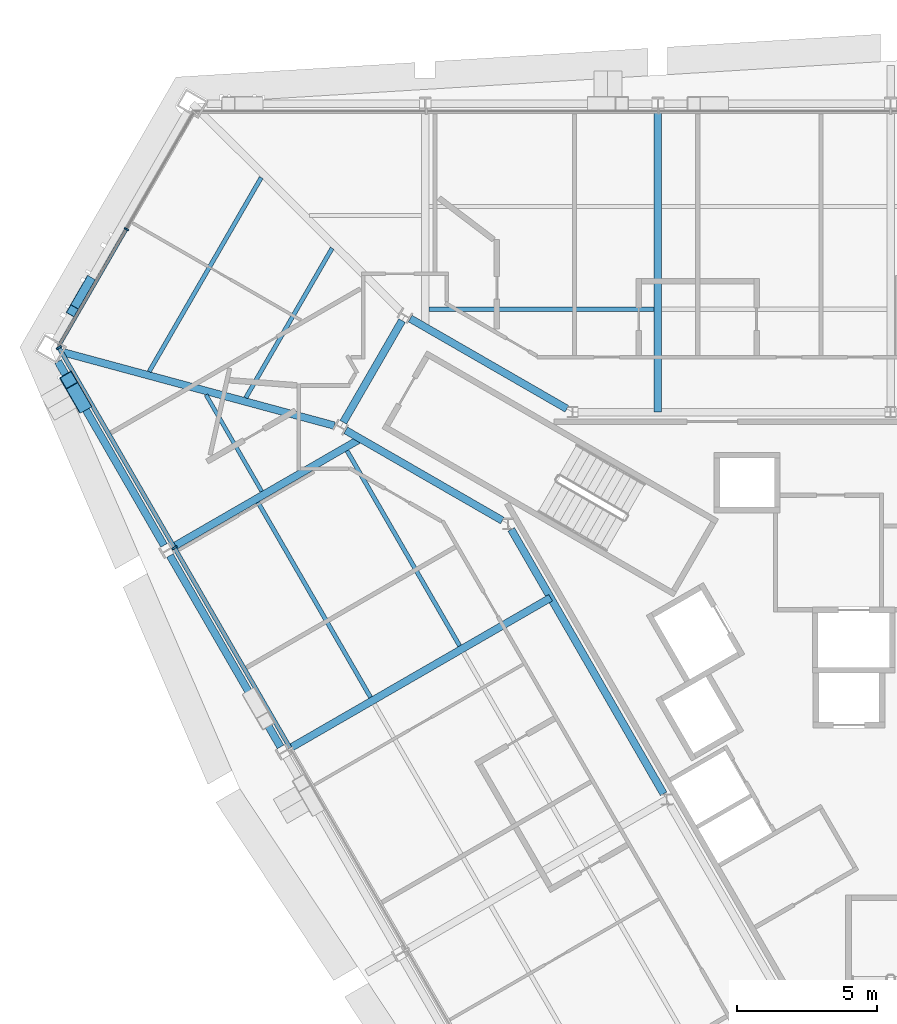
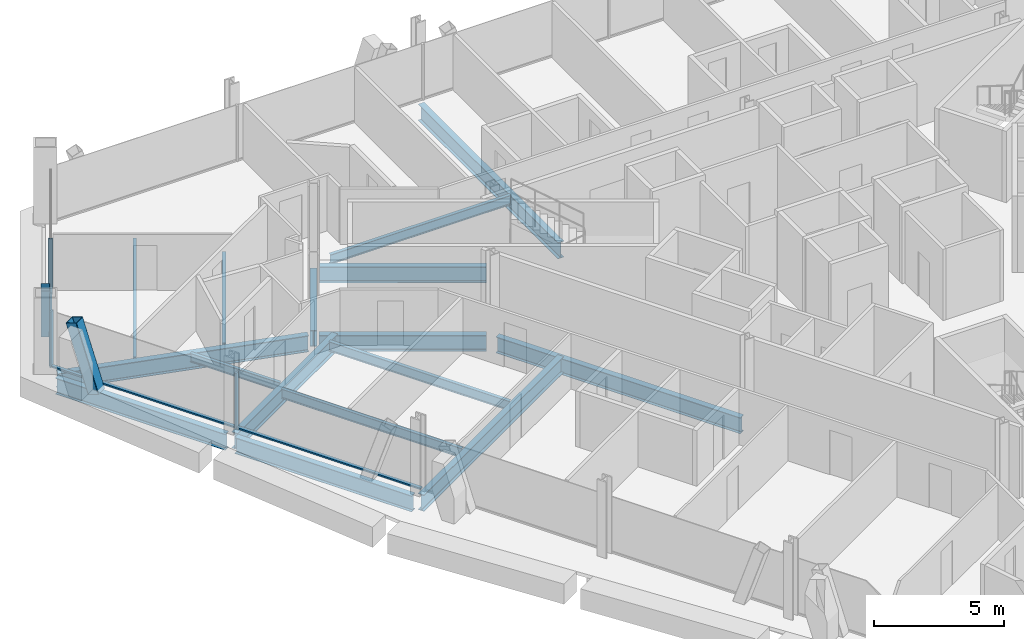
# One storey, part 6 of 17: 16 beams, 8 members, 2 elements without a shape of their own.
"""IFC4 building model written with IfcOpenShell, lengths in metres."""

from ifc_helpers import new_model, si_unit, direction, frame, origin, origin_2d, place, context, subcontext, project, spatial, rectangle, hollow_rectangle, i_section, extrude, material, material_profile, profile_set, type_object, element, aggregate, save


model = new_model("IFC4")

# Units and contexts
model_context = context("Model", 3, precision=1e-05, world=origin(), true_north=direction((0.0, 1.0)))
body_context = subcontext(model_context, "Body", "Model", "MODEL_VIEW")
ifc_project = project(units=[si_unit("LENGTHUNIT", "METRE"), si_unit("AREAUNIT", "SQUARE_METRE"), si_unit("VOLUMEUNIT", "CUBIC_METRE"), si_unit("PLANEANGLEUNIT", "RADIAN"), si_unit("MASSUNIT", "GRAM", prefix="KILO")], contexts=[model_context])

# Site, building, storey
site_placement = place(None, origin())
site = spatial("IfcSite", under=ifc_project, at=site_placement, CompositionType="ELEMENT")
building_placement = place(site_placement, origin())
building = spatial("IfcBuilding", under=site, at=building_placement, Name="Verrane Prism Tower", CompositionType="ELEMENT")
storey_placement = place(building_placement, frame((0.0, 0.0, 136.0)))
storey = spatial("IfcBuildingStorey", under=building, at=storey_placement, Name="L33", CompositionType="ELEMENT", Elevation=136.0)

# Member
ifc_material_1 = material(Name="Steel A500 Grade C", Category="steel")
ifc_material_profile_1 = material_profile(ifc_material_1, hollow_rectangle(XDim=0.355712890625, YDim=0.355712890625, WallThickness=0.0126953125, InnerFilletRadius=0.00634765625, OuterFilletRadius=0.01904296875, at=origin_2d()), Name="HSS14x14x1/2")
ifc_profile_set_1 = profile_set([ifc_material_profile_1], Name="Steel A500 Grade C")
member_type_1 = type_object("IfcMemberType", Name="Chamfer brace HSS14x14x1/2", PredefinedType="BRACE", material=ifc_profile_set_1)
member_1_placement = place(storey_placement, frame((-28.539794921875, 13.843505859375, -0.2451171875), z_axis=(-0.185659078212, -0.321960011241, 0.928370862231), x_axis=(0.86628698939, -0.499546646484, 0.0)))
element("IfcMember", 1, at=member_1_placement, inside=storey, type_object=member_type_1, Name="Chamfer brace NW0 L33", PredefinedType="BRACE", context=body_context, shape_type="SweptSolid", body=[
    extrude(hollow_rectangle(XDim=0.355712890625, YDim=0.355712890625, WallThickness=0.0126953125, InnerFilletRadius=0.00634765625, OuterFilletRadius=0.01904296875, at=origin_2d()), origin(), (0.0, 0.0, 1.0), 3.23486328125),
])

# Beams
ifc_material_2 = material(Name="Steel A992", Category="steel")
ifc_material_profile_2 = material_profile(ifc_material_2, i_section(OverallWidth=0.2666015625, OverallDepth=0.7568359375, WebThickness=0.013916015625, FlangeThickness=0.019287109375, FilletRadius=0.0166015625, at=origin_2d()), Name="W30x108")
ifc_profile_set_2 = profile_set([ifc_material_profile_2], Name="Steel A992")
beam_type_1 = type_object("IfcBeamType", Name="Core ring girder W30x108", PredefinedType="BEAM", material=ifc_profile_set_2)
beam_1_placement = place(storey_placement, frame((-11.53076171875, 9.315673828125, -0.62841796875), z_axis=(-0.866455532004, 0.499254254924, 0.0), x_axis=(-0.499254254924, -0.866455532004, 0.0)))
element("IfcBeam", 2, at=beam_1_placement, inside=storey, type_object=beam_type_1, Name="Core ring girder L33", PredefinedType="BEAM", context=body_context, shape_type="SweptSolid", body=[
    extrude(i_section(OverallWidth=0.2666015625, OverallDepth=0.7568359375, WebThickness=0.013916015625, FlangeThickness=0.019287109375, FilletRadius=0.0166015625, at=origin_2d()), origin(), (0.0, 0.0, 1.0), 6.441162109375),
])
beam_2_placement = place(storey_placement, frame((-17.40283203125, 12.4619140625, -0.62841796875), z_axis=(-0.500367003619, -0.865813410435, 0.0), x_axis=(0.865813410435, -0.500367003619, 0.0)))
element("IfcBeam", 3, at=beam_2_placement, inside=storey, type_object=beam_type_1, Name="Core ring girder L33", PredefinedType="BEAM", context=body_context, shape_type="SweptSolid", body=[
    extrude(i_section(OverallWidth=0.2666015625, OverallDepth=0.7568359375, WebThickness=0.013916015625, FlangeThickness=0.019287109375, FilletRadius=0.0166015625, at=origin_2d()), origin(), (0.0, 0.0, 1.0), 4.185302734375),
])
beam_3_placement = place(storey_placement, frame((-19.411865234375, 8.551513671875, -0.62841796875), z_axis=(0.866455532004, -0.499254254924, 0.0), x_axis=(0.499254254924, 0.866455532004, 0.0)))
element("IfcBeam", 4, at=beam_3_placement, inside=storey, type_object=beam_type_1, Name="Core ring girder L33", PredefinedType="BEAM", context=body_context, shape_type="SweptSolid", body=[
    extrude(i_section(OverallWidth=0.2666015625, OverallDepth=0.7568359375, WebThickness=0.013916015625, FlangeThickness=0.019287109375, FilletRadius=0.0166015625, at=origin_2d()), origin(), (0.0, 0.0, 1.0), 6.441162109375),
])
beam_4_placement = place(storey_placement, frame((-13.51513671875, 5.0205078125, -0.62841796875), z_axis=(0.4993706109, -0.866388476937, 0.0), x_axis=(0.866388476937, 0.4993706109, 0.0)))
element("IfcBeam", 5, at=beam_4_placement, inside=storey, type_object=beam_type_1, Name="Core ring girder L33", PredefinedType="BEAM", context=body_context, shape_type="SweptSolid", body=[
    extrude(i_section(OverallWidth=0.2666015625, OverallDepth=0.7568359375, WebThickness=0.013916015625, FlangeThickness=0.019287109375, FilletRadius=0.0166015625, at=origin_2d()), origin(), (0.0, 0.0, 1.0), 10.8740234375),
])
ifc_material_3 = material(Name="Steel A992", Category="steel")
ifc_material_profile_3 = material_profile(ifc_material_3, i_section(OverallWidth=0.2666015625, OverallDepth=0.76708984375, WebThickness=0.014892578125, FlangeThickness=0.023681640625, FilletRadius=0.0166015625, at=origin_2d()), Name="W30x124")
ifc_profile_set_3 = profile_set([ifc_material_profile_3], Name="Steel A992")
beam_type_2 = type_object("IfcBeamType", Name="Corner girder W30x124", PredefinedType="BEAM", material=ifc_profile_set_3)
beam_5_placement = place(storey_placement, frame((-29.470458984375, 11.32861328125, -0.603515625), z_axis=(0.965337296085, -0.261005564666, 0.0), x_axis=(0.261005564666, 0.965337296085, 0.0)))
element("IfcBeam", 6, at=beam_5_placement, inside=storey, type_object=beam_type_2, Name="Corner girder L33", PredefinedType="BEAM", context=body_context, shape_type="SweptSolid", body=[
    extrude(i_section(OverallWidth=0.2666015625, OverallDepth=0.76708984375, WebThickness=0.014892578125, FlangeThickness=0.023681640625, FilletRadius=0.0166015625, at=origin_2d()), origin(), (0.0, 0.0, 1.0), 10.000244140625),
])

# Member
ifc_material_4 = material(Name="Steel A1085 Grade A", Category="steel")
ifc_material_profile_4 = material_profile(ifc_material_4, hollow_rectangle(XDim=0.508056640625, YDim=0.508056640625, WallThickness=0.025390625, InnerFilletRadius=0.0126953125, OuterFilletRadius=0.0380859375, at=origin_2d()), Name="HSS20x20x1")
ifc_profile_set_4 = profile_set([ifc_material_profile_4], Name="Steel A1085 Grade A")
member_type_2 = type_object("IfcMemberType", Name="Facade brace HSS20x20x1", PredefinedType="BRACE", material=ifc_profile_set_4)
member_2_placement = place(storey_placement, frame((-28.785888671875, 9.48291015625, -0.24267578125), z_axis=(-0.156036437753, 0.270673879917, 0.949941198614), x_axis=(-0.866353965071, -0.499430482855, 0.0)))
element("IfcMember", 7, at=member_2_placement, inside=storey, type_object=member_type_2, Name="Facade brace SW0 L33", PredefinedType="BRACE", context=body_context, shape_type="SweptSolid", body=[
    extrude(hollow_rectangle(XDim=0.508056640625, YDim=0.508056640625, WallThickness=0.025390625, InnerFilletRadius=0.0126953125, OuterFilletRadius=0.0380859375, at=origin_2d()), origin(), (0.0, 0.0, 1.0), 3.166748046875),
])

# Beams
ifc_material_5 = material(Name="Steel A992", Category="steel")
ifc_material_profile_5 = material_profile(ifc_material_5, i_section(OverallWidth=0.140380859375, OverallDepth=0.40380859375, WebThickness=0.007080078125, FlangeThickness=0.01123046875, FilletRadius=0.01025390625, at=origin_2d()), Name="W16x31")
ifc_profile_set_5 = profile_set([ifc_material_profile_5], Name="Steel A992")
beam_type_3 = type_object("IfcBeamType", Name="Floor beam W16x31", PredefinedType="BEAM", material=ifc_profile_set_5)
beam_6_placement = place(storey_placement, frame((-22.40185546875, 6.37548828125, -0.36181640625), z_axis=(-0.499972468829, 0.86604129833, 0.0), x_axis=(-0.86604129833, -0.499972468829, 0.0)))
element("IfcBeam", 8, at=beam_6_placement, inside=storey, type_object=beam_type_3, Name="Floor beam L33", PredefinedType="BEAM", context=body_context, shape_type="SweptSolid", body=[
    extrude(i_section(OverallWidth=0.140380859375, OverallDepth=0.40380859375, WebThickness=0.007080078125, FlangeThickness=0.01123046875, FilletRadius=0.01025390625, at=origin_2d()), origin(), (0.0, 0.0, 1.0), 3.972900390625),
])
ifc_material_6 = material(Name="Steel A992", Category="steel")
ifc_material_profile_6 = material_profile(ifc_material_6, i_section(OverallWidth=0.15234375, OverallDepth=0.449462890625, WebThickness=0.007568359375, FlangeThickness=0.0107421875, FilletRadius=0.01025390625, at=origin_2d()), Name="W18x35")
ifc_profile_set_6 = profile_set([ifc_material_profile_6], Name="Steel A992")
beam_type_4 = type_object("IfcBeamType", Name="Floor beam W18x35", PredefinedType="BEAM", material=ifc_profile_set_6)
beam_7_placement = place(storey_placement, frame((-16.446533203125, 12.86328125, -0.384765625), z_axis=(1.0, 0.0, 0.0), x_axis=(0.0, 1.0, 0.0)))
element("IfcBeam", 9, at=beam_7_placement, inside=storey, type_object=beam_type_4, Name="Floor beam L33", PredefinedType="BEAM", context=body_context, shape_type="SweptSolid", body=[
    extrude(i_section(OverallWidth=0.15234375, OverallDepth=0.449462890625, WebThickness=0.007568359375, FlangeThickness=0.0107421875, FilletRadius=0.01025390625, at=origin_2d()), origin(), (0.0, 0.0, 1.0), 8.02294921875),
])
beam_8_placement = place(storey_placement, frame((-15.351318359375, 0.87158203125, -0.384765625), z_axis=(-0.499986657325, 0.866033107044, 0.0), x_axis=(-0.866033107044, -0.499986657325, 0.0)))
element("IfcBeam", 10, at=beam_8_placement, inside=storey, type_object=beam_type_4, Name="Floor beam L33", PredefinedType="BEAM", context=body_context, shape_type="SweptSolid", body=[
    extrude(i_section(OverallWidth=0.15234375, OverallDepth=0.449462890625, WebThickness=0.007568359375, FlangeThickness=0.0107421875, FilletRadius=0.01025390625, at=origin_2d()), origin(), (0.0, 0.0, 1.0), 8.025634765625),
])
beam_9_placement = place(storey_placement, frame((-18.525634765625, -0.96240234375, -0.384765625), z_axis=(-0.499996300355, 0.866027539765, 0.0), x_axis=(-0.866027539765, -0.499996300355, 0.0)))
element("IfcBeam", 11, at=beam_9_placement, inside=storey, type_object=beam_type_4, Name="Floor beam L33", PredefinedType="BEAM", context=body_context, shape_type="SweptSolid", body=[
    extrude(i_section(OverallWidth=0.15234375, OverallDepth=0.449462890625, WebThickness=0.007568359375, FlangeThickness=0.0107421875, FilletRadius=0.01025390625, at=origin_2d()), origin(), (0.0, 0.0, 1.0), 8.02587890625),
])
beam_10_placement = place(storey_placement, frame((-22.971435546875, 9.709716796875, -0.384765625), z_axis=(0.499989277538, 0.866031594312, 0.0), x_axis=(-0.866031594312, 0.499989277538, 0.0)))
element("IfcBeam", 12, at=beam_10_placement, inside=storey, type_object=beam_type_4, Name="Floor beam L33", PredefinedType="BEAM", context=body_context, shape_type="SweptSolid", body=[
    extrude(i_section(OverallWidth=0.15234375, OverallDepth=0.449462890625, WebThickness=0.007568359375, FlangeThickness=0.0107421875, FilletRadius=0.01025390625, at=origin_2d()), origin(), (0.0, 0.0, 1.0), 6.151611328125),
])
beam_11_placement = place(storey_placement, frame((-26.413818359375, 10.640380859375, -0.384765625), z_axis=(0.500003955024, 0.866023120338, 0.0), x_axis=(-0.866023120338, 0.500003955024, 0.0)))
element("IfcBeam", 13, at=beam_11_placement, inside=storey, type_object=beam_type_4, Name="Floor beam L33", PredefinedType="BEAM", context=body_context, shape_type="SweptSolid", body=[
    extrude(i_section(OverallWidth=0.15234375, OverallDepth=0.449462890625, WebThickness=0.007568359375, FlangeThickness=0.0107421875, FilletRadius=0.01025390625, at=origin_2d()), origin(), (0.0, 0.0, 1.0), 7.98291015625),
])

# Curtain wall, member
ifc_material_7 = material(Name="Aluminium framed insulated glazing", Category="aluminium")
curtain_wall_type_1 = type_object("IfcCurtainWallType", Name="Curtain wall CW-B 5600 module", PredefinedType="NOTDEFINED", material=ifc_material_7)
curtain_wall_1_placement = place(storey_placement, origin())
curtain_wall_1 = element("IfcCurtainWall", 14, at=curtain_wall_1_placement, inside=storey, type_object=curtain_wall_type_1, Name="Glazed curtain wall north-west corner L33", PredefinedType="NOTDEFINED")
ifc_material_8 = material(Name="Aluminium alloy 6063-T6", Category="aluminium")
ifc_material_profile_7 = material_profile(ifc_material_8, rectangle(XDim=0.159912109375, YDim=0.06005859375, at=origin_2d()), Name="Mullion 60x160 aluminium")
ifc_profile_set_7 = profile_set([ifc_material_profile_7], Name="Aluminium alloy 6063-T6")
member_type_3 = type_object("IfcMemberType", Name="Mullion 60x160 aluminium", PredefinedType="MULLION", material=ifc_profile_set_7)
member_3_placement = place(storey_placement, frame((-27.223876953125, 15.7177734375, 0.0), z_axis=(0.0, 0.0, 1.0), x_axis=(0.866027551544, -0.499996279953, 0.0)))
member_3 = element("IfcMember", 15, at=member_3_placement, type_object=member_type_3, Name="CW32.3 mullion 2", PredefinedType="MULLION", context=body_context, shape_type="SweptSolid", body=[
    extrude(rectangle(XDim=0.159912109375, YDim=0.06005859375, at=origin_2d()), origin(), (0.0, 0.0, 1.0), 2.61279296875),
])

# Curtain wall, members
ifc_material_9 = material(Name="Aluminium framed insulated glazing", Category="aluminium")
curtain_wall_type_2 = type_object("IfcCurtainWallType", Name="Curtain wall CW-A 8400 module", PredefinedType="NOTDEFINED", material=ifc_material_9)
curtain_wall_2_placement = place(storey_placement, origin())
curtain_wall_2 = element("IfcCurtainWall", 16, at=curtain_wall_2_placement, inside=storey, type_object=curtain_wall_type_2, Name="Glazed curtain wall south-west face L33", PredefinedType="NOTDEFINED")
ifc_material_10 = material(Name="Aluminium alloy 6063-T6", Category="aluminium")
ifc_material_profile_8 = material_profile(ifc_material_10, rectangle(XDim=0.199951171875, YDim=0.070068359375, at=origin_2d()), Name="Mullion 70x200 aluminium")
ifc_profile_set_8 = profile_set([ifc_material_profile_8], Name="Aluminium alloy 6063-T6")
member_type_4 = type_object("IfcMemberType", Name="Mullion 70x200 aluminium", PredefinedType="MULLION", material=ifc_profile_set_8)
member_4_placement = place(storey_placement, frame((-29.62744140625, 11.494140625, 0.0), z_axis=(0.0, 0.0, 1.0), x_axis=(0.866025120648, 0.500000490406, 0.0)))
member_4 = element("IfcMember", 17, at=member_4_placement, type_object=member_type_4, Name="CW32.4 mullion 1", PredefinedType="MULLION", context=body_context, shape_type="SweptSolid", body=[
    extrude(rectangle(XDim=0.199951171875, YDim=0.070068359375, at=origin_2d()), origin(), (0.0, 0.0, 1.0), 2.61279296875),
])
member_5_placement = place(storey_placement, frame((-25.510986328125, 4.364501953125, 0.0), z_axis=(0.0, 0.0, 1.0), x_axis=(0.866025120648, 0.500000490406, 0.0)))
member_5 = element("IfcMember", 18, at=member_5_placement, type_object=member_type_4, Name="CW32.4 mullion 2", PredefinedType="MULLION", context=body_context, shape_type="SweptSolid", body=[
    extrude(rectangle(XDim=0.199951171875, YDim=0.070068359375, at=origin_2d()), origin(), (0.0, 0.0, 1.0), 2.61279296875),
])

# Beams
ifc_material_11 = material(Name="Steel A992", Category="steel")
ifc_material_profile_9 = material_profile(ifc_material_11, i_section(OverallWidth=0.2666015625, OverallDepth=0.76708984375, WebThickness=0.014892578125, FlangeThickness=0.023681640625, FilletRadius=0.0166015625, at=origin_2d()), Name="W30x124")
ifc_profile_set_9 = profile_set([ifc_material_profile_9], Name="Steel A992")
beam_type_5 = type_object("IfcBeamType", Name="Radial girder W30x124", PredefinedType="BEAM", material=ifc_profile_set_9)
beam_12_placement = place(storey_placement, frame((-8.2900390625, 19.962646484375, -0.603515625), z_axis=(0.0, -1.0, 0.0), x_axis=(1.0, 0.0, 0.0)))
element("IfcBeam", 19, at=beam_12_placement, inside=storey, type_object=beam_type_5, Name="Radial girder L33", PredefinedType="BEAM", context=body_context, shape_type="SweptSolid", body=[
    extrude(i_section(OverallWidth=0.2666015625, OverallDepth=0.76708984375, WebThickness=0.014892578125, FlangeThickness=0.023681640625, FilletRadius=0.0166015625, at=origin_2d()), origin(), (0.0, 0.0, 1.0), 10.7626953125),
])
beam_13_placement = place(storey_placement, frame((-25.5830078125, 4.3837890625, -0.603515625), z_axis=(0.866023094746, 0.500003999351, 0.0), x_axis=(-0.500003999351, 0.866023094746, 0.0)))
element("IfcBeam", 20, at=beam_13_placement, inside=storey, type_object=beam_type_5, Name="Radial girder L33", PredefinedType="BEAM", context=body_context, shape_type="SweptSolid", body=[
    extrude(i_section(OverallWidth=0.2666015625, OverallDepth=0.76708984375, WebThickness=0.014892578125, FlangeThickness=0.023681640625, FilletRadius=0.0166015625, at=origin_2d()), origin(), (0.0, 0.0, 1.0), 7.7314453125),
])
beam_14_placement = place(storey_placement, frame((-21.43310546875, -2.79638671875, -0.603515625), z_axis=(0.866023543838, 0.500003221507, 0.0), x_axis=(-0.500003221507, 0.866023543838, 0.0)))
element("IfcBeam", 21, at=beam_14_placement, inside=storey, type_object=beam_type_5, Name="Radial girder L33", PredefinedType="BEAM", context=body_context, shape_type="SweptSolid", body=[
    extrude(i_section(OverallWidth=0.2666015625, OverallDepth=0.76708984375, WebThickness=0.014892578125, FlangeThickness=0.023681640625, FilletRadius=0.0166015625, at=origin_2d()), origin(), (0.0, 0.0, 1.0), 10.763671875),
])
ifc_material_12 = material(Name="Steel A992", Category="steel")
ifc_material_profile_10 = material_profile(ifc_material_12, i_section(OverallWidth=0.2666015625, OverallDepth=0.7568359375, WebThickness=0.013916015625, FlangeThickness=0.019287109375, FilletRadius=0.0166015625, at=origin_2d()), Name="W30x108")
ifc_profile_set_10 = profile_set([ifc_material_profile_10], Name="Steel A992")
beam_type_6 = type_object("IfcBeamType", Name="Spandrel beam W30x108", PredefinedType="SPANDREL", material=ifc_profile_set_10)
beam_15_placement = place(storey_placement, frame((-29.660400390625, 10.999755859375, -0.53857421875), z_axis=(0.499498748006, -0.866314608408, 0.0), x_axis=(0.866314608408, 0.499498748006, 0.0)))
element("IfcBeam", 22, at=beam_15_placement, inside=storey, type_object=beam_type_6, Name="Spandrel beam L33", PredefinedType="SPANDREL", context=body_context, shape_type="SweptSolid", body=[
    extrude(i_section(OverallWidth=0.2666015625, OverallDepth=0.7568359375, WebThickness=0.013916015625, FlangeThickness=0.019287109375, FilletRadius=0.0166015625, at=origin_2d()), origin(), (0.0, 0.0, 1.0), 7.558837890625),
])
beam_16_placement = place(storey_placement, frame((-25.675048828125, 4.088623046875, -0.53857421875), z_axis=(0.500410353056, -0.865788356675, 0.0), x_axis=(0.865788356675, 0.500410353056, 0.0)))
element("IfcBeam", 23, at=beam_16_placement, inside=storey, type_object=beam_type_6, Name="Spandrel beam L33", PredefinedType="SPANDREL", context=body_context, shape_type="SweptSolid", body=[
    extrude(i_section(OverallWidth=0.2666015625, OverallDepth=0.7568359375, WebThickness=0.013916015625, FlangeThickness=0.019287109375, FilletRadius=0.0166015625, at=origin_2d()), origin(), (0.0, 0.0, 1.0), 7.8740234375),
])

# Member
ifc_material_13 = material(Name="Aluminium alloy 6063-T6", Category="aluminium")
ifc_material_profile_11 = material_profile(ifc_material_13, rectangle(XDim=0.1201171875, YDim=0.06005859375, at=origin_2d()), Name="Transom 60x120 aluminium")
ifc_profile_set_11 = profile_set([ifc_material_profile_11], Name="Aluminium alloy 6063-T6")
member_type_5 = type_object("IfcMemberType", Name="Transom 60x120 aluminium", PredefinedType="USERDEFINED", material=ifc_profile_set_11)
member_6_placement = place(storey_placement, frame((-27.239013671875, 15.691650390625, 0.030029296875), z_axis=(-0.50000792458, -0.866020828478, 0.0), x_axis=(0.866020828478, -0.50000792458, 0.0)))
member_6 = element("IfcMember", 24, at=member_6_placement, type_object=member_type_5, Name="CW32.3 transom 2", ObjectType="TRANSOM", PredefinedType="USERDEFINED", context=body_context, shape_type="SweptSolid", body=[
    extrude(rectangle(XDim=0.1201171875, YDim=0.06005859375, at=origin_2d()), origin(), (0.0, 0.0, 1.0), 4.81201171875),
])

aggregate(curtain_wall_1, [member_3, member_6])

ifc_material_14 = material(Name="Aluminium alloy 6063-T6", Category="aluminium")
ifc_material_profile_12 = material_profile(ifc_material_14, rectangle(XDim=0.14990234375, YDim=0.070068359375, at=origin_2d()), Name="Transom 70x150 aluminium")
ifc_profile_set_12 = profile_set([ifc_material_profile_12], Name="Aluminium alloy 6063-T6")
member_type_6 = type_object("IfcMemberType", Name="Transom 70x150 aluminium", PredefinedType="USERDEFINED", material=ifc_profile_set_12)
member_7_placement = place(storey_placement, frame((-29.60986328125, 11.4638671875, 0.034912109375), z_axis=(0.499996028522, -0.866027696706, 0.0), x_axis=(0.866027696706, 0.499996028522, 0.0)))
member_7 = element("IfcMember", 25, at=member_7_placement, type_object=member_type_6, Name="CW32.4 transom 1", ObjectType="TRANSOM", PredefinedType="USERDEFINED", context=body_context, shape_type="SweptSolid", body=[
    extrude(rectangle(XDim=0.14990234375, YDim=0.070068359375, at=origin_2d()), origin(), (0.0, 0.0, 1.0), 8.16259765625),
])

member_8_placement = place(storey_placement, frame((-25.49365234375, 4.334228515625, 0.034912109375), z_axis=(0.500005171338, -0.866022418091, 0.0), x_axis=(0.866022418091, 0.500005171338, 0.0)))
member_8 = element("IfcMember", 26, at=member_8_placement, type_object=member_type_6, Name="CW32.4 transom 2", ObjectType="TRANSOM", PredefinedType="USERDEFINED", context=body_context, shape_type="SweptSolid", body=[
    extrude(rectangle(XDim=0.14990234375, YDim=0.070068359375, at=origin_2d()), origin(), (0.0, 0.0, 1.0), 8.19775390625),
])

aggregate(curtain_wall_2, [member_4, member_5, member_7, member_8])

save(model, "model.ifc")
